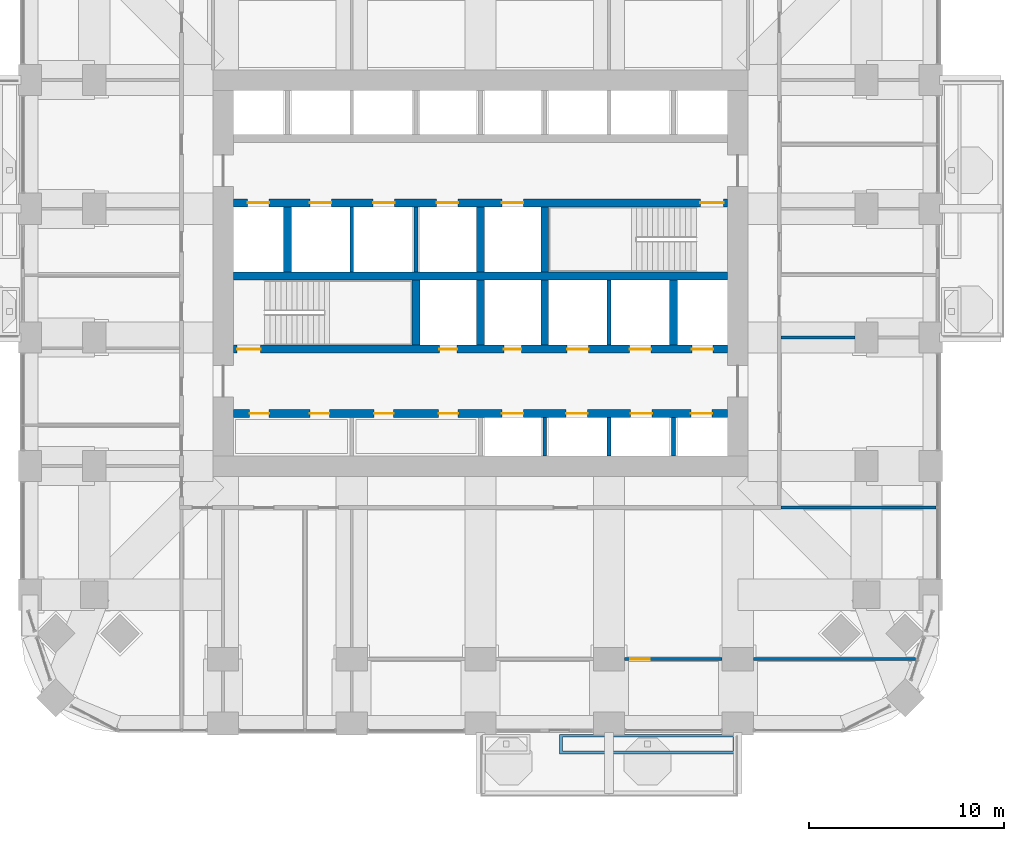
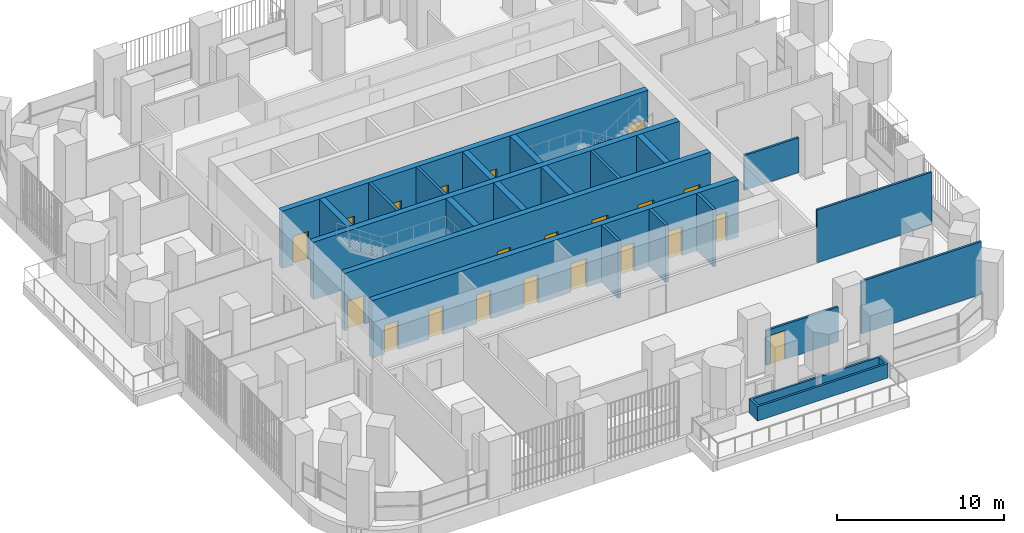
# One storey, part 15 of 22: 22 walls, 21 doors, 21 openings.
"""IFC4 building model written with IfcOpenShell, lengths in metres."""

from ifc_helpers import new_model, si_unit, direction, frame, frame_2d, origin, place, context, subcontext, project, spatial, polyline, rectangle, outline, extrude, material, layer, layer_set, type_object, element, fill, save


model = new_model("IFC4")

# Units and contexts
model_context = context("Model", 3, precision=1e-05, world=origin(), true_north=direction((0.0, 1.0)))
body_context = subcontext(model_context, "Body", "Model", "MODEL_VIEW")
ifc_project = project(units=[si_unit("LENGTHUNIT", "METRE"), si_unit("AREAUNIT", "SQUARE_METRE"), si_unit("VOLUMEUNIT", "CUBIC_METRE"), si_unit("PLANEANGLEUNIT", "RADIAN"), si_unit("MASSUNIT", "GRAM", prefix="KILO")], contexts=[model_context])

# Site, building, storey
site_placement = place(None, origin())
site = spatial("IfcSite", under=ifc_project, at=site_placement, CompositionType="ELEMENT")
building_placement = place(site_placement, origin())
building = spatial("IfcBuilding", under=site, at=building_placement, Name="Cobogo Forest Laboratory Tower", CompositionType="ELEMENT")
storey_placement = place(building_placement, frame((0.0, 0.0, 145.199951171875)))
storey = spatial("IfcBuildingStorey", under=building, at=storey_placement, Name="L33", CompositionType="ELEMENT", Elevation=145.199951171875)

# Wall, openings, doors
ifc_material_1 = material(Name="Concrete HA-50 (C50/60)", Category="concrete")
ifc_layer_1 = layer(ifc_material_1, 0.39990234375)
ifc_layer_set_1 = layer_set([ifc_layer_1], Name="CI400 core inner wall 400")
wall_type_1 = type_object("IfcWallType", Name="CI400 core inner wall 400", PredefinedType="SHEAR", material=ifc_layer_set_1)
wall_1_placement = place(storey_placement, frame((13.72509765625, 15.89990234375, 0.0), z_axis=(0.0, 0.0, 1.0), x_axis=(1.0, 0.0, 0.0)))
wall_1 = element("IfcWall", 1, at=wall_1_placement, inside=storey, type_object=wall_type_1, Name="Core wall CI-15.9 L33", PredefinedType="SHEAR", context=body_context, shape_type="SweptSolid", body=[
    extrude(rectangle(XDim=25.349853515625, YDim=0.39990234375, at=frame_2d((12.6748046875, 0.0))), origin(), (0.0, 0.0, 1.0), 4.199951171875),
])
opening_1_placement = place(wall_1_placement, frame((0.83740234375, 0.0, 0.0)))
opening_1 = element("IfcOpeningElement", 2, at=opening_1_placement, cuts=wall_1, Name="Opening L33-D10", PredefinedType="OPENING", context=body_context, shape_type="SweptSolid", body=[
    extrude(rectangle(XDim=1.0, YDim=2.10009765625, at=frame_2d((0.5, 1.050048828125))), frame((0.0, 0.2099609375, 0.0), z_axis=(0.0, -1.0, 0.0), x_axis=(1.0, 0.0, 0.0)), (0.0, 0.0, 1.0), 0.419921875),
])
opening_2_placement = place(wall_1_placement, frame((3.925048828125, 0.0, 0.0)))
opening_2 = element("IfcOpeningElement", 3, at=opening_2_placement, cuts=wall_1, Name="Opening L33-D11", PredefinedType="OPENING", context=body_context, shape_type="SweptSolid", body=[
    extrude(rectangle(XDim=1.0, YDim=2.10009765625, at=frame_2d((0.5, 1.050048828125))), frame((0.0, 0.2099609375, 0.0), z_axis=(0.0, -1.0, 0.0), x_axis=(1.0, 0.0, 0.0)), (0.0, 0.0, 1.0), 0.419921875),
])
opening_3_placement = place(wall_1_placement, frame((7.22509765625, 0.0, 0.0)))
opening_3 = element("IfcOpeningElement", 4, at=opening_3_placement, cuts=wall_1, Name="Opening L33-D12", PredefinedType="OPENING", context=body_context, shape_type="SweptSolid", body=[
    extrude(rectangle(XDim=1.0, YDim=2.10009765625, at=frame_2d((0.5, 1.050048828125))), frame((0.0, 0.2099609375, 0.0), z_axis=(0.0, -1.0, 0.0), x_axis=(1.0, 0.0, 0.0)), (0.0, 0.0, 1.0), 0.419921875),
])
opening_4_placement = place(wall_1_placement, frame((10.52490234375, 0.0, 0.0)))
opening_4 = element("IfcOpeningElement", 5, at=opening_4_placement, cuts=wall_1, Name="Opening L33-D13", PredefinedType="OPENING", context=body_context, shape_type="SweptSolid", body=[
    extrude(rectangle(XDim=1.0, YDim=2.10009765625, at=frame_2d((0.5, 1.050048828125))), frame((0.0, 0.2099609375, 0.0), z_axis=(0.0, -1.0, 0.0), x_axis=(1.0, 0.0, 0.0)), (0.0, 0.0, 1.0), 0.419921875),
])
opening_5_placement = place(wall_1_placement, frame((13.77490234375, 0.0, 0.0)))
opening_5 = element("IfcOpeningElement", 6, at=opening_5_placement, cuts=wall_1, Name="Opening L33-LD-LB1", PredefinedType="OPENING", context=body_context, shape_type="SweptSolid", body=[
    extrude(rectangle(XDim=1.10009765625, YDim=2.10009765625, at=frame_2d((0.550048828125, 1.050048828125))), frame((0.0, 0.2099609375, 0.0), z_axis=(0.0, -1.0, 0.0), x_axis=(1.0, 0.0, 0.0)), (0.0, 0.0, 1.0), 0.419921875),
])
opening_6_placement = place(wall_1_placement, frame((17.074951171875, 0.0, 0.0)))
opening_6 = element("IfcOpeningElement", 7, at=opening_6_placement, cuts=wall_1, Name="Opening L33-LD-LB2", PredefinedType="OPENING", context=body_context, shape_type="SweptSolid", body=[
    extrude(rectangle(XDim=1.10009765625, YDim=2.10009765625, at=frame_2d((0.550048828125, 1.050048828125))), frame((0.0, 0.2099609375, 0.0), z_axis=(0.0, -1.0, 0.0), x_axis=(1.0, 0.0, 0.0)), (0.0, 0.0, 1.0), 0.419921875),
])
opening_7_placement = place(wall_1_placement, frame((20.375, 0.0, 0.0)))
opening_7 = element("IfcOpeningElement", 8, at=opening_7_placement, cuts=wall_1, Name="Opening L33-LD-LB3", PredefinedType="OPENING", context=body_context, shape_type="SweptSolid", body=[
    extrude(rectangle(XDim=1.10009765625, YDim=2.10009765625, at=frame_2d((0.550048828125, 1.050048828125))), frame((0.0, 0.2099609375, 0.0), z_axis=(0.0, -1.0, 0.0), x_axis=(1.0, 0.0, 0.0)), (0.0, 0.0, 1.0), 0.419921875),
])
opening_8_placement = place(wall_1_placement, frame((23.46240234375, 0.0, 0.0)))
opening_8 = element("IfcOpeningElement", 9, at=opening_8_placement, cuts=wall_1, Name="Opening L33-LD-LB4", PredefinedType="OPENING", context=body_context, shape_type="SweptSolid", body=[
    extrude(rectangle(XDim=1.10009765625, YDim=2.10009765625, at=frame_2d((0.550048828125, 1.050048828125))), frame((0.0, 0.2099609375, 0.0), z_axis=(0.0, -1.0, 0.0), x_axis=(1.0, 0.0, 0.0)), (0.0, 0.0, 1.0), 0.419921875),
])
ifc_material_2 = material(Name="Steel fire door", Category="steel")
door_type_1 = type_object("IfcDoorType", Name="FD1 fire door 1000 EI2 60", OperationType="SINGLE_SWING_LEFT", PredefinedType="DOOR", material=ifc_material_2)
door_1_placement = place(opening_1_placement, origin())
door_1 = element("IfcDoor", 10, at=door_1_placement, inside=storey, type_object=door_type_1, Name="Door L33-SH-LA1", OperationType="SINGLE_SWING_LEFT", OverallHeight=2.10009765625, OverallWidth=1.0, PredefinedType="DOOR", context=body_context, shape_type="SweptSolid", body=[
    extrude(rectangle(XDim=1.0, YDim=2.10009765625, at=frame_2d((0.5, 1.050048828125))), frame((0.0, 0.02490234375, 0.0), z_axis=(0.0, -1.0, 0.0), x_axis=(1.0, 0.0, 0.0)), (0.0, 0.0, 1.0), 0.050048828125),
])
fill(opening_1, door_1)
door_2_placement = place(opening_2_placement, origin())
door_2 = element("IfcDoor", 11, at=door_2_placement, inside=storey, type_object=door_type_1, Name="Door L33-SH-LA2", OperationType="SINGLE_SWING_LEFT", OverallHeight=2.10009765625, OverallWidth=1.0, PredefinedType="DOOR", context=body_context, shape_type="SweptSolid", body=[
    extrude(rectangle(XDim=1.0, YDim=2.10009765625, at=frame_2d((0.5, 1.050048828125))), frame((0.0, 0.02490234375, 0.0), z_axis=(0.0, -1.0, 0.0), x_axis=(1.0, 0.0, 0.0)), (0.0, 0.0, 1.0), 0.050048828125),
])
fill(opening_2, door_2)
door_3_placement = place(opening_3_placement, origin())
door_3 = element("IfcDoor", 12, at=door_3_placement, inside=storey, type_object=door_type_1, Name="Door L33-SH-LA3", OperationType="SINGLE_SWING_LEFT", OverallHeight=2.10009765625, OverallWidth=1.0, PredefinedType="DOOR", context=body_context, shape_type="SweptSolid", body=[
    extrude(rectangle(XDim=1.0, YDim=2.10009765625, at=frame_2d((0.5, 1.050048828125))), frame((0.0, 0.02490234375, 0.0), z_axis=(0.0, -1.0, 0.0), x_axis=(1.0, 0.0, 0.0)), (0.0, 0.0, 1.0), 0.050048828125),
])
fill(opening_3, door_3)
door_4_placement = place(opening_4_placement, origin())
door_4 = element("IfcDoor", 13, at=door_4_placement, inside=storey, type_object=door_type_1, Name="Door L33-SH-LA4", OperationType="SINGLE_SWING_LEFT", OverallHeight=2.10009765625, OverallWidth=1.0, PredefinedType="DOOR", context=body_context, shape_type="SweptSolid", body=[
    extrude(rectangle(XDim=1.0, YDim=2.10009765625, at=frame_2d((0.5, 1.050048828125))), frame((0.0, 0.02490234375, 0.0), z_axis=(0.0, -1.0, 0.0), x_axis=(1.0, 0.0, 0.0)), (0.0, 0.0, 1.0), 0.050048828125),
])
fill(opening_4, door_4)
ifc_material_3 = material(Name="Stainless steel lift door", Category="steel")
door_type_2 = type_object("IfcDoorType", Name="LD lift landing door 1100", OperationType="DOUBLE_DOOR_SLIDING", PredefinedType="DOOR", material=ifc_material_3)
door_5_placement = place(opening_5_placement, origin())
door_5 = element("IfcDoor", 14, at=door_5_placement, inside=storey, type_object=door_type_2, Name="Lift landing door LB1 L33", OperationType="DOUBLE_DOOR_SLIDING", OverallHeight=2.10009765625, OverallWidth=1.10009765625, PredefinedType="DOOR", context=body_context, shape_type="SweptSolid", body=[
    extrude(rectangle(XDim=1.10009765625, YDim=2.10009765625, at=frame_2d((0.550048828125, 1.050048828125))), frame((0.0, 0.02490234375, 0.0), z_axis=(0.0, -1.0, 0.0), x_axis=(1.0, 0.0, 0.0)), (0.0, 0.0, 1.0), 0.050048828125),
])
fill(opening_5, door_5)
door_6_placement = place(opening_6_placement, origin())
door_6 = element("IfcDoor", 15, at=door_6_placement, inside=storey, type_object=door_type_2, Name="Lift landing door LB2 L33", OperationType="DOUBLE_DOOR_SLIDING", OverallHeight=2.10009765625, OverallWidth=1.10009765625, PredefinedType="DOOR", context=body_context, shape_type="SweptSolid", body=[
    extrude(rectangle(XDim=1.10009765625, YDim=2.10009765625, at=frame_2d((0.550048828125, 1.050048828125))), frame((0.0, 0.02490234375, 0.0), z_axis=(0.0, -1.0, 0.0), x_axis=(1.0, 0.0, 0.0)), (0.0, 0.0, 1.0), 0.050048828125),
])
fill(opening_6, door_6)
door_7_placement = place(opening_7_placement, origin())
door_7 = element("IfcDoor", 16, at=door_7_placement, inside=storey, type_object=door_type_2, Name="Lift landing door LB3 L33", OperationType="DOUBLE_DOOR_SLIDING", OverallHeight=2.10009765625, OverallWidth=1.10009765625, PredefinedType="DOOR", context=body_context, shape_type="SweptSolid", body=[
    extrude(rectangle(XDim=1.10009765625, YDim=2.10009765625, at=frame_2d((0.550048828125, 1.050048828125))), frame((0.0, 0.02490234375, 0.0), z_axis=(0.0, -1.0, 0.0), x_axis=(1.0, 0.0, 0.0)), (0.0, 0.0, 1.0), 0.050048828125),
])
fill(opening_7, door_7)
door_8_placement = place(opening_8_placement, origin())
door_8 = element("IfcDoor", 17, at=door_8_placement, inside=storey, type_object=door_type_2, Name="Lift landing door LB4 L33", OperationType="DOUBLE_DOOR_SLIDING", OverallHeight=2.10009765625, OverallWidth=1.10009765625, PredefinedType="DOOR", context=body_context, shape_type="SweptSolid", body=[
    extrude(rectangle(XDim=1.10009765625, YDim=2.10009765625, at=frame_2d((0.550048828125, 1.050048828125))), frame((0.0, 0.02490234375, 0.0), z_axis=(0.0, -1.0, 0.0), x_axis=(1.0, 0.0, 0.0)), (0.0, 0.0, 1.0), 0.050048828125),
])
fill(opening_8, door_8)

wall_2_placement = place(storey_placement, frame((13.72509765625, 19.199951171875, 0.0), z_axis=(0.0, 0.0, 1.0), x_axis=(1.0, 0.0, 0.0)))
wall_2 = element("IfcWall", 18, at=wall_2_placement, inside=storey, type_object=wall_type_1, Name="Core wall CI-19.2 L33", PredefinedType="SHEAR", context=body_context, shape_type="SweptSolid", body=[
    extrude(rectangle(XDim=25.349853515625, YDim=0.39990234375, at=frame_2d((12.6748046875, 0.0))), origin(), (0.0, 0.0, 1.0), 4.199951171875),
])
opening_9_placement = place(wall_2_placement, frame((10.574951171875, 0.0, 0.0)))
opening_9 = element("IfcOpeningElement", 19, at=opening_9_placement, cuts=wall_2, Name="Opening L33-D18", PredefinedType="OPENING", context=body_context, shape_type="SweptSolid", body=[
    extrude(rectangle(XDim=0.89990234375, YDim=2.10009765625, at=frame_2d((0.449951171875, 1.050048828125))), frame((0.0, 0.2099609375, 0.0), z_axis=(0.0, -1.0, 0.0), x_axis=(1.0, 0.0, 0.0)), (0.0, 0.0, 1.0), 0.419921875),
])
opening_10_placement = place(wall_2_placement, frame((13.875, 0.0, 0.0)))
opening_10 = element("IfcOpeningElement", 20, at=opening_10_placement, cuts=wall_2, Name="Opening L33-D19", PredefinedType="OPENING", context=body_context, shape_type="SweptSolid", body=[
    extrude(rectangle(XDim=0.89990234375, YDim=2.10009765625, at=frame_2d((0.449951171875, 1.050048828125))), frame((0.0, 0.2099609375, 0.0), z_axis=(0.0, -1.0, 0.0), x_axis=(1.0, 0.0, 0.0)), (0.0, 0.0, 1.0), 0.419921875),
])
opening_11_placement = place(wall_2_placement, frame((0.199951171875, 0.0, 0.0)))
opening_11 = element("IfcOpeningElement", 21, at=opening_11_placement, cuts=wall_2, Name="Opening L33-D17", PredefinedType="OPENING", context=body_context, shape_type="SweptSolid", body=[
    extrude(rectangle(XDim=1.199951171875, YDim=2.10009765625, at=frame_2d((0.60009765625, 1.050048828125))), frame((0.0, 0.2099609375, 0.0), z_axis=(0.0, -1.0, 0.0), x_axis=(1.0, 0.0, 0.0)), (0.0, 0.0, 1.0), 0.419921875),
])
opening_12_placement = place(wall_2_placement, frame((23.512451171875, 0.0, 0.0)))
opening_12 = element("IfcOpeningElement", 22, at=opening_12_placement, cuts=wall_2, Name="Opening L33-LD-FL2", PredefinedType="OPENING", context=body_context, shape_type="SweptSolid", body=[
    extrude(rectangle(XDim=1.10009765625, YDim=2.10009765625, at=frame_2d((0.550048828125, 1.050048828125))), frame((0.0, 0.2099609375, 0.0), z_axis=(0.0, -1.0, 0.0), x_axis=(1.0, 0.0, 0.0)), (0.0, 0.0, 1.0), 0.419921875),
])
opening_13_placement = place(wall_2_placement, frame((17.125, 0.0, 0.0)))
opening_13 = element("IfcOpeningElement", 23, at=opening_13_placement, cuts=wall_2, Name="Opening L33-LD-LS1", PredefinedType="OPENING", context=body_context, shape_type="SweptSolid", body=[
    extrude(rectangle(XDim=1.10009765625, YDim=2.10009765625, at=frame_2d((0.550048828125, 1.050048828125))), frame((0.0, 0.2099609375, 0.0), z_axis=(0.0, -1.0, 0.0), x_axis=(1.0, 0.0, 0.0)), (0.0, 0.0, 1.0), 0.419921875),
])
opening_14_placement = place(wall_2_placement, frame((20.324951171875, 0.0, 0.0)))
opening_14 = element("IfcOpeningElement", 24, at=opening_14_placement, cuts=wall_2, Name="Opening L33-LD-LS2", PredefinedType="OPENING", context=body_context, shape_type="SweptSolid", body=[
    extrude(rectangle(XDim=1.10009765625, YDim=2.10009765625, at=frame_2d((0.550048828125, 1.050048828125))), frame((0.0, 0.2099609375, 0.0), z_axis=(0.0, -1.0, 0.0), x_axis=(1.0, 0.0, 0.0)), (0.0, 0.0, 1.0), 0.419921875),
])
door_type_3 = type_object("IfcDoorType", Name="DS1 protected stair door 1200 EI2 60", OperationType="SINGLE_SWING_LEFT", PredefinedType="DOOR", material=ifc_material_2)
door_9_placement = place(opening_11_placement, origin())
door_9 = element("IfcDoor", 25, at=door_9_placement, inside=storey, type_object=door_type_3, Name="Door L33-ST1", OperationType="SINGLE_SWING_LEFT", OverallHeight=2.10009765625, OverallWidth=1.199951171875, PredefinedType="DOOR", context=body_context, shape_type="SweptSolid", body=[
    extrude(rectangle(XDim=1.199951171875, YDim=2.10009765625, at=frame_2d((0.60009765625, 1.050048828125))), frame((0.0, 0.02490234375, 0.0), z_axis=(0.0, -1.0, 0.0), x_axis=(1.0, 0.0, 0.0)), (0.0, 0.0, 1.0), 0.050048828125),
])
fill(opening_11, door_9)
door_type_4 = type_object("IfcDoorType", Name="FD4 riser access door 900 EI2 60", OperationType="SINGLE_SWING_LEFT", PredefinedType="DOOR", material=ifc_material_2)
door_10_placement = place(opening_9_placement, origin())
door_10 = element("IfcDoor", 26, at=door_10_placement, inside=storey, type_object=door_type_4, Name="Door L33-R1", OperationType="SINGLE_SWING_LEFT", OverallHeight=2.10009765625, OverallWidth=0.89990234375, PredefinedType="DOOR", context=body_context, shape_type="SweptSolid", body=[
    extrude(rectangle(XDim=0.89990234375, YDim=2.10009765625, at=frame_2d((0.449951171875, 1.050048828125))), frame((0.0, 0.02490234375, 0.0), z_axis=(0.0, -1.0, 0.0), x_axis=(1.0, 0.0, 0.0)), (0.0, 0.0, 1.0), 0.050048828125),
])
fill(opening_9, door_10)
door_11_placement = place(opening_10_placement, origin())
door_11 = element("IfcDoor", 27, at=door_11_placement, inside=storey, type_object=door_type_4, Name="Door L33-R2", OperationType="SINGLE_SWING_RIGHT", OverallHeight=2.10009765625, OverallWidth=0.89990234375, PredefinedType="DOOR", context=body_context, shape_type="SweptSolid", body=[
    extrude(rectangle(XDim=0.89990234375, YDim=2.10009765625, at=frame_2d((0.449951171875, 1.050048828125))), frame((0.0, 0.02490234375, 0.0), z_axis=(0.0, -1.0, 0.0), x_axis=(1.0, 0.0, 0.0)), (0.0, 0.0, 1.0), 0.050048828125),
])
fill(opening_10, door_11)
door_12_placement = place(opening_12_placement, origin())
door_12 = element("IfcDoor", 28, at=door_12_placement, inside=storey, type_object=door_type_2, Name="Lift landing door FL2 L33", OperationType="DOUBLE_DOOR_SLIDING", OverallHeight=2.10009765625, OverallWidth=1.10009765625, PredefinedType="DOOR", context=body_context, shape_type="SweptSolid", body=[
    extrude(rectangle(XDim=1.10009765625, YDim=2.10009765625, at=frame_2d((0.550048828125, 1.050048828125))), frame((0.0, 0.02490234375, 0.0), z_axis=(0.0, -1.0, 0.0), x_axis=(1.0, 0.0, 0.0)), (0.0, 0.0, 1.0), 0.050048828125),
])
fill(opening_12, door_12)
door_13_placement = place(opening_13_placement, origin())
door_13 = element("IfcDoor", 29, at=door_13_placement, inside=storey, type_object=door_type_2, Name="Lift landing door LS1 L33", OperationType="DOUBLE_DOOR_SLIDING", OverallHeight=2.10009765625, OverallWidth=1.10009765625, PredefinedType="DOOR", context=body_context, shape_type="SweptSolid", body=[
    extrude(rectangle(XDim=1.10009765625, YDim=2.10009765625, at=frame_2d((0.550048828125, 1.050048828125))), frame((0.0, 0.02490234375, 0.0), z_axis=(0.0, -1.0, 0.0), x_axis=(1.0, 0.0, 0.0)), (0.0, 0.0, 1.0), 0.050048828125),
])
fill(opening_13, door_13)
door_14_placement = place(opening_14_placement, origin())
door_14 = element("IfcDoor", 30, at=door_14_placement, inside=storey, type_object=door_type_2, Name="Lift landing door LS2 L33", OperationType="DOUBLE_DOOR_SLIDING", OverallHeight=2.10009765625, OverallWidth=1.10009765625, PredefinedType="DOOR", context=body_context, shape_type="SweptSolid", body=[
    extrude(rectangle(XDim=1.10009765625, YDim=2.10009765625, at=frame_2d((0.550048828125, 1.050048828125))), frame((0.0, 0.02490234375, 0.0), z_axis=(0.0, -1.0, 0.0), x_axis=(1.0, 0.0, 0.0)), (0.0, 0.0, 1.0), 0.050048828125),
])
fill(opening_14, door_14)

# Wall
wall_3_placement = place(storey_placement, frame((13.72509765625, 22.949951171875, 0.0), z_axis=(0.0, 0.0, 1.0), x_axis=(1.0, 0.0, 0.0)))
element("IfcWall", 31, at=wall_3_placement, inside=storey, type_object=wall_type_1, Name="Core wall CI-22.95 L33", PredefinedType="SHEAR", context=body_context, shape_type="SweptSolid", body=[
    extrude(rectangle(XDim=25.349853515625, YDim=0.39990234375, at=frame_2d((12.6748046875, 0.0))), origin(), (0.0, 0.0, 1.0), 4.199951171875),
])

# Wall, openings, doors
wall_4_placement = place(storey_placement, frame((13.72509765625, 26.699951171875, 0.0), z_axis=(0.0, 0.0, 1.0), x_axis=(1.0, 0.0, 0.0)))
wall_4 = element("IfcWall", 32, at=wall_4_placement, inside=storey, type_object=wall_type_1, Name="Core wall CI-26.7 L33", PredefinedType="SHEAR", context=body_context, shape_type="SweptSolid", body=[
    extrude(rectangle(XDim=25.349853515625, YDim=0.39990234375, at=frame_2d((12.6748046875, 0.0))), origin(), (0.0, 0.0, 1.0), 4.199951171875),
])
opening_15_placement = place(wall_4_placement, frame((23.949951171875, 0.0, 0.0)))
opening_15 = element("IfcOpeningElement", 33, at=opening_15_placement, cuts=wall_4, Name="Opening L33-D26", PredefinedType="OPENING", context=body_context, shape_type="SweptSolid", body=[
    extrude(rectangle(XDim=1.199951171875, YDim=2.10009765625, at=frame_2d((0.60009765625, 1.050048828125))), frame((0.0, 0.2099609375, 0.0), z_axis=(0.0, -1.0, 0.0), x_axis=(1.0, 0.0, 0.0)), (0.0, 0.0, 1.0), 0.419921875),
])
opening_16_placement = place(wall_4_placement, frame((0.737548828125, 0.0, 0.0)))
opening_16 = element("IfcOpeningElement", 34, at=opening_16_placement, cuts=wall_4, Name="Opening L33-LD-FL1", PredefinedType="OPENING", context=body_context, shape_type="SweptSolid", body=[
    extrude(rectangle(XDim=1.10009765625, YDim=2.10009765625, at=frame_2d((0.550048828125, 1.050048828125))), frame((0.0, 0.2099609375, 0.0), z_axis=(0.0, -1.0, 0.0), x_axis=(1.0, 0.0, 0.0)), (0.0, 0.0, 1.0), 0.419921875),
])
opening_17_placement = place(wall_4_placement, frame((3.925048828125, 0.0, 0.0)))
opening_17 = element("IfcOpeningElement", 35, at=opening_17_placement, cuts=wall_4, Name="Opening L33-LD-LS3", PredefinedType="OPENING", context=body_context, shape_type="SweptSolid", body=[
    extrude(rectangle(XDim=1.10009765625, YDim=2.10009765625, at=frame_2d((0.550048828125, 1.050048828125))), frame((0.0, 0.2099609375, 0.0), z_axis=(0.0, -1.0, 0.0), x_axis=(1.0, 0.0, 0.0)), (0.0, 0.0, 1.0), 0.419921875),
])
opening_18_placement = place(wall_4_placement, frame((7.175048828125, 0.0, 0.0)))
opening_18 = element("IfcOpeningElement", 36, at=opening_18_placement, cuts=wall_4, Name="Opening L33-LD-LS4", PredefinedType="OPENING", context=body_context, shape_type="SweptSolid", body=[
    extrude(rectangle(XDim=1.10009765625, YDim=2.10009765625, at=frame_2d((0.550048828125, 1.050048828125))), frame((0.0, 0.2099609375, 0.0), z_axis=(0.0, -1.0, 0.0), x_axis=(1.0, 0.0, 0.0)), (0.0, 0.0, 1.0), 0.419921875),
])
opening_19_placement = place(wall_4_placement, frame((10.425048828125, 0.0, 0.0)))
opening_19 = element("IfcOpeningElement", 37, at=opening_19_placement, cuts=wall_4, Name="Opening L33-LD-LS5", PredefinedType="OPENING", context=body_context, shape_type="SweptSolid", body=[
    extrude(rectangle(XDim=1.10009765625, YDim=2.10009765625, at=frame_2d((0.550048828125, 1.050048828125))), frame((0.0, 0.2099609375, 0.0), z_axis=(0.0, -1.0, 0.0), x_axis=(1.0, 0.0, 0.0)), (0.0, 0.0, 1.0), 0.419921875),
])
opening_20_placement = place(wall_4_placement, frame((13.77490234375, 0.0, 0.0)))
opening_20 = element("IfcOpeningElement", 38, at=opening_20_placement, cuts=wall_4, Name="Opening L33-LD-LS6", PredefinedType="OPENING", context=body_context, shape_type="SweptSolid", body=[
    extrude(rectangle(XDim=1.10009765625, YDim=2.10009765625, at=frame_2d((0.550048828125, 1.050048828125))), frame((0.0, 0.2099609375, 0.0), z_axis=(0.0, -1.0, 0.0), x_axis=(1.0, 0.0, 0.0)), (0.0, 0.0, 1.0), 0.419921875),
])
door_15_placement = place(opening_15_placement, origin())
door_15 = element("IfcDoor", 39, at=door_15_placement, inside=storey, type_object=door_type_3, Name="Door L33-ST2", OperationType="SINGLE_SWING_RIGHT", OverallHeight=2.10009765625, OverallWidth=1.199951171875, PredefinedType="DOOR", context=body_context, shape_type="SweptSolid", body=[
    extrude(rectangle(XDim=1.199951171875, YDim=2.10009765625, at=frame_2d((0.60009765625, 1.050048828125))), frame((0.0, 0.02490234375, 0.0), z_axis=(0.0, -1.0, 0.0), x_axis=(1.0, 0.0, 0.0)), (0.0, 0.0, 1.0), 0.050048828125),
])
fill(opening_15, door_15)
door_16_placement = place(opening_16_placement, origin())
door_16 = element("IfcDoor", 40, at=door_16_placement, inside=storey, type_object=door_type_2, Name="Lift landing door FL1 L33", OperationType="DOUBLE_DOOR_SLIDING", OverallHeight=2.10009765625, OverallWidth=1.10009765625, PredefinedType="DOOR", context=body_context, shape_type="SweptSolid", body=[
    extrude(rectangle(XDim=1.10009765625, YDim=2.10009765625, at=frame_2d((0.550048828125, 1.050048828125))), frame((0.0, 0.02490234375, 0.0), z_axis=(0.0, -1.0, 0.0), x_axis=(1.0, 0.0, 0.0)), (0.0, 0.0, 1.0), 0.050048828125),
])
fill(opening_16, door_16)
door_17_placement = place(opening_17_placement, origin())
door_17 = element("IfcDoor", 41, at=door_17_placement, inside=storey, type_object=door_type_2, Name="Lift landing door LS3 L33", OperationType="DOUBLE_DOOR_SLIDING", OverallHeight=2.10009765625, OverallWidth=1.10009765625, PredefinedType="DOOR", context=body_context, shape_type="SweptSolid", body=[
    extrude(rectangle(XDim=1.10009765625, YDim=2.10009765625, at=frame_2d((0.550048828125, 1.050048828125))), frame((0.0, 0.02490234375, 0.0), z_axis=(0.0, -1.0, 0.0), x_axis=(1.0, 0.0, 0.0)), (0.0, 0.0, 1.0), 0.050048828125),
])
fill(opening_17, door_17)
door_18_placement = place(opening_18_placement, origin())
door_18 = element("IfcDoor", 42, at=door_18_placement, inside=storey, type_object=door_type_2, Name="Lift landing door LS4 L33", OperationType="DOUBLE_DOOR_SLIDING", OverallHeight=2.10009765625, OverallWidth=1.10009765625, PredefinedType="DOOR", context=body_context, shape_type="SweptSolid", body=[
    extrude(rectangle(XDim=1.10009765625, YDim=2.10009765625, at=frame_2d((0.550048828125, 1.050048828125))), frame((0.0, 0.02490234375, 0.0), z_axis=(0.0, -1.0, 0.0), x_axis=(1.0, 0.0, 0.0)), (0.0, 0.0, 1.0), 0.050048828125),
])
fill(opening_18, door_18)
door_19_placement = place(opening_19_placement, origin())
door_19 = element("IfcDoor", 43, at=door_19_placement, inside=storey, type_object=door_type_2, Name="Lift landing door LS5 L33", OperationType="DOUBLE_DOOR_SLIDING", OverallHeight=2.10009765625, OverallWidth=1.10009765625, PredefinedType="DOOR", context=body_context, shape_type="SweptSolid", body=[
    extrude(rectangle(XDim=1.10009765625, YDim=2.10009765625, at=frame_2d((0.550048828125, 1.050048828125))), frame((0.0, 0.02490234375, 0.0), z_axis=(0.0, -1.0, 0.0), x_axis=(1.0, 0.0, 0.0)), (0.0, 0.0, 1.0), 0.050048828125),
])
fill(opening_19, door_19)
door_20_placement = place(opening_20_placement, origin())
door_20 = element("IfcDoor", 44, at=door_20_placement, inside=storey, type_object=door_type_2, Name="Lift landing door LS6 L33", OperationType="DOUBLE_DOOR_SLIDING", OverallHeight=2.10009765625, OverallWidth=1.10009765625, PredefinedType="DOOR", context=body_context, shape_type="SweptSolid", body=[
    extrude(rectangle(XDim=1.10009765625, YDim=2.10009765625, at=frame_2d((0.550048828125, 1.050048828125))), frame((0.0, 0.02490234375, 0.0), z_axis=(0.0, -1.0, 0.0), x_axis=(1.0, 0.0, 0.0)), (0.0, 0.0, 1.0), 0.050048828125),
])
fill(opening_20, door_20)

# Walls
for number, where, z_axis, x_axis, name in (
    (45, (23.10009765625, 19.39990234375, 0.0), (0.0, 0.0, 1.0), (0.0, 1.0, 0.0), "Core wall CX-23.1 L33"),
    (46, (26.39990234375, 19.39990234375, 0.0), (0.0, 0.0, 1.0), (0.0, 1.0, 0.0), "Core wall CX-26.4S L33"),
    (47, (29.699951171875, 19.39990234375, 0.0), (0.0, 0.0, 1.0), (0.0, 1.0, 0.0), "Core wall CX-29.7S L33"),
    (48, (36.300048828125, 19.39990234375, 0.0), (0.0, 0.0, 1.0), (0.0, 1.0, 0.0), "Core wall CX-36.3 L33"),
    (49, (16.5, 23.14990234375, 0.0), (0.0, 0.0, 1.0), (0.0, 1.0, 0.0), "Core wall CX-16.5 L33"),
    (50, (26.39990234375, 23.14990234375, 0.0), (0.0, 0.0, 1.0), (0.0, 1.0, 0.0), "Core wall CX-26.4N L33"),
    (51, (29.699951171875, 23.14990234375, 0.0), (0.0, 0.0, 1.0), (0.0, 1.0, 0.0), "Core wall CX-29.7N L33"),
):
    element("IfcWall", number, at=place(storey_placement, frame(where, z_axis=z_axis, x_axis=x_axis)), inside=storey, type_object=wall_type_1, Name=name, PredefinedType="SHEAR", context=body_context, shape_type="SweptSolid", body=[
        extrude(rectangle(XDim=3.35009765625, YDim=0.39990234375, at=frame_2d((1.675048828125, 0.0))), origin(), (0.0, 0.0, 1.0), 4.199951171875),
    ])
ifc_material_4 = material(Name="Gypsum board on steel studs", Category="steel")
ifc_layer_2 = layer(ifc_material_4, 0.14990234375)
ifc_layer_set_2 = layer_set([ifc_layer_2], Name="PT1 laboratory partition 150")
wall_type_2 = type_object("IfcWallType", Name="PT1 laboratory partition 150", PredefinedType="PARTITIONING", material=ifc_layer_set_2)
wall_5_placement = place(storey_placement, frame((49.77001953125, 11.074951171875, 0.0), z_axis=(0.0, 0.0, 1.0), x_axis=(-1.0, 0.0, 0.0)))
element("IfcWall", 52, at=wall_5_placement, inside=storey, type_object=wall_type_2, Name="Partition PW-SE L33", PredefinedType="PARTITIONING", context=body_context, shape_type="SweptSolid", body=[
    extrude(rectangle(XDim=7.945068359375, YDim=0.14990234375, at=frame_2d((3.97265625, 0.0))), origin(), (0.0, 0.0, 1.0), 3.85009765625),
])

# Wall, opening, door
wall_6_placement = place(storey_placement, frame((33.800048828125, 3.300048828125, 0.0), z_axis=(0.0, 0.0, 1.0), x_axis=(1.0, 0.0, 0.0)))
wall_6 = element("IfcWall", 53, at=wall_6_placement, inside=storey, type_object=wall_type_2, Name="Partition STRIP-S-3 L33", PredefinedType="PARTITIONING", context=body_context, shape_type="SweptSolid", body=[
    extrude(rectangle(XDim=5.0, YDim=0.14990234375, at=frame_2d((2.5, 0.0))), origin(), (0.0, 0.0, 1.0), 2.550048828125),
])
opening_21_placement = place(wall_6_placement, frame((0.2919921875, 0.0, 0.0)))
opening_21 = element("IfcOpeningElement", 54, at=opening_21_placement, cuts=wall_6, Name="Opening L33-D02", PredefinedType="OPENING", context=body_context, shape_type="SweptSolid", body=[
    extrude(rectangle(XDim=1.0, YDim=2.10009765625, at=frame_2d((0.5, 1.050048828125))), frame((0.0, 0.0849609375, 0.0), z_axis=(0.0, -1.0, 0.0), x_axis=(1.0, 0.0, 0.0)), (0.0, 0.0, 1.0), 0.169921875),
])
ifc_material_5 = material(Name="Timber fire door", Category="wood")
door_type_5 = type_object("IfcDoorType", Name="FD2 fire door 1000 EI2 30", OperationType="SINGLE_SWING_LEFT", PredefinedType="DOOR", material=ifc_material_5)
door_21_placement = place(opening_21_placement, origin())
door_21 = element("IfcDoor", 55, at=door_21_placement, inside=storey, type_object=door_type_5, Name="Door L33-S2W", OperationType="SINGLE_SWING_LEFT", OverallHeight=2.10009765625, OverallWidth=1.0, PredefinedType="DOOR", context=body_context, shape_type="SweptSolid", body=[
    extrude(rectangle(XDim=1.0, YDim=2.10009765625, at=frame_2d((0.5, 1.050048828125))), frame((0.0, 0.02490234375, 0.0), z_axis=(0.0, -1.0, 0.0), x_axis=(1.0, 0.0, 0.0)), (0.0, 0.0, 1.0), 0.050048828125),
])
fill(opening_21, door_21)

# Walls
wall_7_placement = place(storey_placement, frame((40.39990234375, 3.300048828125, 0.0), z_axis=(0.0, 0.0, 1.0), x_axis=(1.0, 0.0, 0.0)))
element("IfcWall", 56, at=wall_7_placement, inside=storey, type_object=wall_type_2, Name="Partition STRIP-S-4 L33", PredefinedType="PARTITIONING", context=body_context, shape_type="SweptSolid", body=[
    extrude(rectangle(XDim=8.323974609375, YDim=0.14990234375, at=frame_2d((4.162109375, 0.0))), origin(), (0.0, 0.0, 1.0), 3.85009765625),
])
wall_8_placement = place(storey_placement, frame((45.60009765625, 19.800048828125, 0.0), z_axis=(0.0, 0.0, 1.0), x_axis=(-1.0, 0.0, 0.0)))
element("IfcWall", 57, at=wall_8_placement, inside=storey, type_object=wall_type_2, Name="Partition CUT-E19.8-2 L33", PredefinedType="PARTITIONING", context=body_context, shape_type="SweptSolid", body=[
    extrude(rectangle(XDim=3.775146484375, YDim=0.14990234375, at=frame_2d((1.8876953125, 0.0))), origin(), (0.0, 0.0, 1.0), 2.550048828125),
])
ifc_material_6 = material(Name="Concrete HA-40 (C40/50)", Category="concrete")
ifc_layer_3 = layer(ifc_material_6, 0.14990234375)
ifc_layer_set_3 = layer_set([ifc_layer_3], Name="Planter box 1000x1050")
wall_type_3 = type_object("IfcWallType", Name="Planter box 1000x1050", PredefinedType="USERDEFINED", material=ifc_layer_set_3)
wall_9_placement = place(storey_placement, origin())
element("IfcWall", 58, at=wall_9_placement, inside=storey, type_object=wall_type_3, Name="Planter BAL-S1-2 L33", ObjectType="PLANTER", PredefinedType="USERDEFINED", context=body_context, shape_type="SweptSolid", body=[
    extrude(outline(polyline([(30.449951171875, -1.550048828125), (39.5, -1.550048828125), (39.5, -0.550048828125), (30.449951171875, -0.550048828125), (30.449951171875, -1.550048828125)]), holes=[polyline([(30.60009765625, -1.39990234375), (39.35009765625, -1.39990234375), (39.35009765625, -0.699951171875), (30.60009765625, -0.699951171875), (30.60009765625, -1.39990234375)])]), origin(), (0.0, 0.0, 1.0), 1.050048828125),
])
ifc_material_7 = material(Name="Concrete block", Category="concrete")
ifc_layer_4 = layer(ifc_material_7, 0.199951171875)
ifc_layer_set_4 = layer_set([ifc_layer_4], Name="SW200 lift shaft separator 200")
wall_type_4 = type_object("IfcWallType", Name="SW200 lift shaft separator 200", PredefinedType="PARTITIONING", material=ifc_layer_set_4)
for number, where, z_axis, x_axis, name in (
    (59, (29.699951171875, 13.72509765625, 0.0), (0.0, 0.0, 1.0), (0.0, 1.0, 0.0), "Core wall SEP-S5 L33"),
    (60, (33.0, 13.72509765625, 0.0), (0.0, 0.0, 1.0), (0.0, 1.0, 0.0), "Core wall SEP-S6 L33"),
    (61, (36.300048828125, 13.72509765625, 0.0), (0.0, 0.0, 1.0), (0.0, 1.0, 0.0), "Core wall SEP-S7 L33"),
):
    element("IfcWall", number, at=place(storey_placement, frame(where, z_axis=z_axis, x_axis=x_axis)), inside=storey, type_object=wall_type_4, Name=name, PredefinedType="PARTITIONING", context=body_context, shape_type="SweptSolid", body=[
        extrude(rectangle(XDim=1.974853515625, YDim=0.199951171875, at=frame_2d((0.9873046875, 0.0))), origin(), (0.0, 0.0, 1.0), 4.199951171875),
    ])
for number, where, z_axis, x_axis, name in (
    (62, (33.0, 19.39990234375, 0.0), (0.0, 0.0, 1.0), (0.0, 1.0, 0.0), "Core wall SEP-M33.0 L33"),
    (63, (19.800048828125, 23.14990234375, 0.0), (0.0, 0.0, 1.0), (0.0, 1.0, 0.0), "Core wall SEP-M19.8 L33"),
    (64, (23.10009765625, 23.14990234375, 0.0), (0.0, 0.0, 1.0), (0.0, 1.0, 0.0), "Core wall SEP-M23.1 L33"),
):
    element("IfcWall", number, at=place(storey_placement, frame(where, z_axis=z_axis, x_axis=x_axis)), inside=storey, type_object=wall_type_4, Name=name, PredefinedType="PARTITIONING", context=body_context, shape_type="SweptSolid", body=[
        extrude(rectangle(XDim=3.35009765625, YDim=0.199951171875, at=frame_2d((1.675048828125, 0.0))), origin(), (0.0, 0.0, 1.0), 4.199951171875),
    ])

save(model, "model.ifc")
